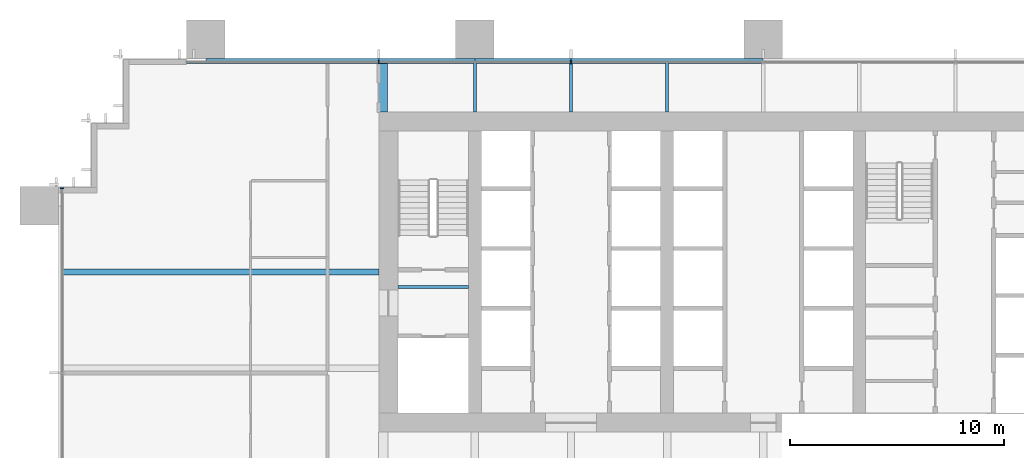
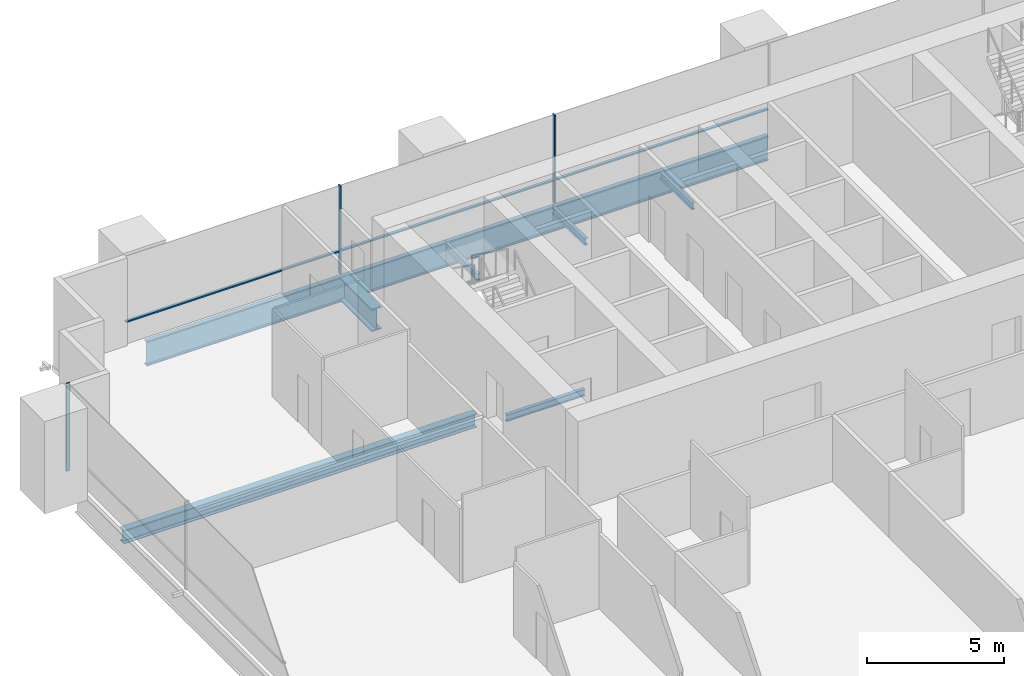
# One storey, part 7 of 17: 8 beams, 6 members, 2 elements without a shape of their own.
"""IFC4 building model written with IfcOpenShell, lengths in metres."""

from ifc_helpers import new_model, si_unit, direction, frame, origin, origin_2d, place, context, subcontext, project, spatial, rectangle, i_section, extrude, material, material_profile, profile_set, type_object, element, aggregate, save


model = new_model("IFC4")

# Units and contexts
model_context = context("Model", 3, precision=1e-05, world=origin(), true_north=direction((0.0, 1.0)))
body_context = subcontext(model_context, "Body", "Model", "MODEL_VIEW")
ifc_project = project(units=[si_unit("LENGTHUNIT", "METRE"), si_unit("AREAUNIT", "SQUARE_METRE"), si_unit("VOLUMEUNIT", "CUBIC_METRE"), si_unit("PLANEANGLEUNIT", "RADIAN"), si_unit("MASSUNIT", "GRAM", prefix="KILO")], contexts=[model_context])

# Site, building, storey
site_placement = place(None, origin())
site = spatial("IfcSite", under=ifc_project, at=site_placement, CompositionType="ELEMENT")
building_placement = place(site_placement, origin())
building = spatial("IfcBuilding", under=site, at=building_placement, Name="Rattan Terrace Tower", CompositionType="ELEMENT")
storey_placement = place(building_placement, frame((0.0, 0.0, 61.10009765625)))
storey = spatial("IfcBuildingStorey", under=building, at=storey_placement, Name="L13", CompositionType="ELEMENT", Elevation=61.10009765625)

# Curtain wall, members
ifc_material_1 = material(Name="Aluminium and glass", Category="aluminium")
curtain_wall_type = type_object("IfcCurtainWallType", Name="Facade Unitised Curtain Wall", PredefinedType="NOTDEFINED", material=ifc_material_1)
curtain_wall_1_placement = place(storey_placement, origin())
curtain_wall_1 = element("IfcCurtainWall", 1, at=curtain_wall_1_placement, inside=storey, type_object=curtain_wall_type, Name="Curtain wall L13-2", PredefinedType="NOTDEFINED")
ifc_material_2 = material(Name="Aluminium", Category="aluminium")
ifc_material_profile_1 = material_profile(ifc_material_2, rectangle(XDim=0.06005859375, YDim=0.159912109375, at=origin_2d()), Name="Aluminium 60x160")
ifc_profile_set_1 = profile_set([ifc_material_profile_1], Name="Aluminium")
member_type_1 = type_object("IfcMemberType", Name="Facade CW Mullion 60x160", PredefinedType="MULLION", material=ifc_profile_set_1)
member_1_placement = place(storey_placement, frame((-9.0, 9.830078125, 0.0), z_axis=(0.0, 0.0, 1.0), x_axis=(-1.0, 0.0, 0.0)))
member_1 = element("IfcMember", 2, at=member_1_placement, type_object=member_type_1, Name="Mullion cwl-L13-002.5", PredefinedType="MULLION", context=body_context, shape_type="SweptSolid", body=[
    extrude(rectangle(XDim=0.06005859375, YDim=0.159912109375, at=origin_2d()), origin(), (0.0, 0.0, 1.0), 3.89990234375),
])
member_2_placement = place(storey_placement, frame((-18.0, 9.830078125, 0.0), z_axis=(0.0, 0.0, 1.0), x_axis=(-1.0, 0.0, 0.0)))
member_2 = element("IfcMember", 3, at=member_2_placement, type_object=member_type_1, Name="Mullion cwl-L13-002.6", PredefinedType="MULLION", context=body_context, shape_type="SweptSolid", body=[
    extrude(rectangle(XDim=0.06005859375, YDim=0.159912109375, at=origin_2d()), origin(), (0.0, 0.0, 1.0), 3.89990234375),
])

# Curtain wall, member
curtain_wall_2_placement = place(storey_placement, origin())
curtain_wall_2 = element("IfcCurtainWall", 4, at=curtain_wall_2_placement, inside=storey, type_object=curtain_wall_type, Name="Curtain wall L13-3", PredefinedType="NOTDEFINED")
member_3_placement = place(storey_placement, frame((-32.830078125, 3.925048828125, 0.0), z_axis=(0.0, 0.0, 1.0), x_axis=(0.0, -1.0, 0.0)))
member_3 = element("IfcMember", 5, at=member_3_placement, type_object=member_type_1, Name="Mullion cwl-L13-003.1", PredefinedType="MULLION", context=body_context, shape_type="SweptSolid", body=[
    extrude(rectangle(XDim=0.06005859375, YDim=0.159912109375, at=origin_2d()), origin(), (0.0, 0.0, 1.0), 3.89990234375),
])
aggregate(curtain_wall_2, [member_3])

# Member
ifc_material_3 = material(Name="Aluminium", Category="aluminium")
ifc_material_profile_2 = material_profile(ifc_material_3, rectangle(XDim=0.1201171875, YDim=0.06005859375, at=origin_2d()), Name="Aluminium 120x60")
ifc_profile_set_2 = profile_set([ifc_material_profile_2], Name="Aluminium")
member_type_2 = type_object("IfcMemberType", Name="Facade CW Transom 120x60", PredefinedType="USERDEFINED", material=ifc_profile_set_2)
member_4_placement = place(storey_placement, frame((-0.030029296875, 9.830078125, 1.0), z_axis=(-1.0, 0.0, 0.0), x_axis=(0.0, -1.0, 0.0)))
member_4 = element("IfcMember", 6, at=member_4_placement, type_object=member_type_2, Name="Transom cwl-L13-002.4", ObjectType="TRANSOM", PredefinedType="USERDEFINED", context=body_context, shape_type="SweptSolid", body=[
    extrude(rectangle(XDim=0.1201171875, YDim=0.06005859375, at=origin_2d()), origin(), (0.0, 0.0, 1.0), 8.93994140625),
])

member_5_placement = place(storey_placement, frame((-9.030029296875, 9.830078125, 1.0), z_axis=(-1.0, 0.0, 0.0), x_axis=(0.0, -1.0, 0.0)))
member_5 = element("IfcMember", 7, at=member_5_placement, type_object=member_type_2, Name="Transom cwl-L13-002.5", ObjectType="TRANSOM", PredefinedType="USERDEFINED", context=body_context, shape_type="SweptSolid", body=[
    extrude(rectangle(XDim=0.1201171875, YDim=0.06005859375, at=origin_2d()), origin(), (0.0, 0.0, 1.0), 8.93994140625),
])

member_6_placement = place(storey_placement, frame((-18.030029296875, 9.830078125, 1.0), z_axis=(-1.0, 0.0, 0.0), x_axis=(0.0, -1.0, 0.0)))
member_6 = element("IfcMember", 8, at=member_6_placement, type_object=member_type_2, Name="Transom cwl-L13-002.6", ObjectType="TRANSOM", PredefinedType="USERDEFINED", context=body_context, shape_type="SweptSolid", body=[
    extrude(rectangle(XDim=0.1201171875, YDim=0.06005859375, at=origin_2d()), origin(), (0.0, 0.0, 1.0), 8.969970703125),
])

aggregate(curtain_wall_1, [member_1, member_2, member_4, member_5, member_6])

# Beams
ifc_material_4 = material(Name="Steel S460", Category="steel")
ifc_material_profile_3 = material_profile(ifc_material_4, i_section(OverallWidth=0.39990234375, OverallDepth=1.0, WebThickness=0.01806640625, FlangeThickness=0.044921875, at=origin_2d()), Name="PG 1000x400-18-45")
ifc_profile_set_3 = profile_set([ifc_material_profile_3], Name="Steel S460")
beam_type_1 = type_object("IfcBeamType", Name="Frame core girder PG 1000x400-18-45", PredefinedType="BEAM", material=ifc_profile_set_3)
beam_1_placement = place(storey_placement, frame((-17.800048828125, 7.5, -0.7001953125), z_axis=(0.0, 1.0, 0.0), x_axis=(-1.0, 0.0, 0.0)))
element("IfcBeam", 9, at=beam_1_placement, inside=storey, type_object=beam_type_1, Name="gdr-L13-015", PredefinedType="BEAM", context=body_context, shape_type="SweptSolid", body=[
    extrude(i_section(OverallWidth=0.39990234375, OverallDepth=1.0, WebThickness=0.01806640625, FlangeThickness=0.044921875, at=origin_2d()), origin(), (0.0, 0.0, 1.0), 2.320068359375),
])
ifc_material_5 = material(Name="Steel S460", Category="steel")
ifc_material_profile_4 = material_profile(ifc_material_5, i_section(OverallWidth=0.179931640625, OverallDepth=1.10009765625, WebThickness=0.01611328125, FlangeThickness=0.050048828125, at=origin_2d()), Name="PG 1100x180-16-50")
ifc_profile_set_4 = profile_set([ifc_material_profile_4], Name="Steel S460")
beam_type_2 = type_object("IfcBeamType", Name="Frame edge girder PG 1100x180-16-50", PredefinedType="SPANDREL", material=ifc_profile_set_4)
beam_2_placement = place(storey_placement, frame((-13.5, 9.909912109375, -0.75), z_axis=(-1.0, 0.0, 0.0), x_axis=(0.0, -1.0, 0.0)))
element("IfcBeam", 10, at=beam_2_placement, inside=storey, type_object=beam_type_2, Name="gdr-L13-009", PredefinedType="SPANDREL", context=body_context, shape_type="SweptSolid", body=[
    extrude(i_section(OverallWidth=0.179931640625, OverallDepth=1.10009765625, WebThickness=0.01611328125, FlangeThickness=0.050048828125, at=origin_2d()), origin(), (0.0, 0.0, 1.0), 12.60009765625),
])
beam_3_placement = place(storey_placement, frame((0.0, 9.909912109375, -0.75), z_axis=(-1.0, 0.0, 0.0), x_axis=(0.0, -1.0, 0.0)))
element("IfcBeam", 11, at=beam_3_placement, inside=storey, type_object=beam_type_2, Name="gdr-L13-010", PredefinedType="SPANDREL", context=body_context, shape_type="SweptSolid", body=[
    extrude(i_section(OverallWidth=0.179931640625, OverallDepth=1.10009765625, WebThickness=0.01611328125, FlangeThickness=0.050048828125, at=origin_2d()), origin(), (0.0, 0.0, 1.0), 13.5),
])
ifc_material_6 = material(Name="Steel S355", Category="steel")
ifc_material_profile_5 = material_profile(ifc_material_6, i_section(OverallWidth=0.300048828125, OverallDepth=0.60009765625, WebThickness=0.015380859375, FlangeThickness=0.030029296875, FilletRadius=0.027099609375, at=origin_2d()), Name="HE 600 B")
ifc_profile_set_5 = profile_set([ifc_material_profile_5], Name="Steel S355")
beam_type_3 = type_object("IfcBeamType", Name="Frame floor beam HE 600 B", PredefinedType="JOIST", material=ifc_profile_set_5)
beam_4_placement = place(storey_placement, frame((-32.820068359375, 0.0, -0.5), z_axis=(1.0, 0.0, 0.0), x_axis=(0.0, 1.0, 0.0)))
element("IfcBeam", 12, at=beam_4_placement, inside=storey, type_object=beam_type_3, Name="bm-L13-022", PredefinedType="JOIST", context=body_context, shape_type="SweptSolid", body=[
    extrude(i_section(OverallWidth=0.300048828125, OverallDepth=0.60009765625, WebThickness=0.015380859375, FlangeThickness=0.030029296875, FilletRadius=0.027099609375, at=origin_2d()), origin(), (0.0, 0.0, 1.0), 14.820068359375),
])
ifc_material_7 = material(Name="Steel S355", Category="steel")
ifc_material_profile_6 = material_profile(ifc_material_7, i_section(OverallWidth=0.14990234375, OverallDepth=0.300048828125, WebThickness=0.007080078125, FlangeThickness=0.0107421875, FilletRadius=0.014892578125, at=origin_2d()), Name="IPE 300")
ifc_profile_set_6 = profile_set([ifc_material_profile_6], Name="Steel S355")
beam_type_4 = type_object("IfcBeamType", Name="Frame floor beam IPE 300", PredefinedType="JOIST", material=ifc_profile_set_6)
beam_5_placement = place(storey_placement, frame((-17.10009765625, -0.695068359375, -0.35009765625), z_axis=(1.0, 0.0, 0.0), x_axis=(0.0, 1.0, 0.0)))
element("IfcBeam", 13, at=beam_5_placement, inside=storey, type_object=beam_type_4, Name="bm-L13-001", PredefinedType="JOIST", context=body_context, shape_type="SweptSolid", body=[
    extrude(i_section(OverallWidth=0.14990234375, OverallDepth=0.300048828125, WebThickness=0.007080078125, FlangeThickness=0.0107421875, FilletRadius=0.014892578125, at=origin_2d()), origin(), (0.0, 0.0, 1.0), 3.300048828125),
])
for number, where, z_axis, x_axis, name in (
    (14, (-13.5, 7.5, -0.35009765625), (0.0, 1.0, 0.0), (-1.0, 0.0, 0.0), "bm-L13-024"),
    (15, (-9.0, 7.5, -0.35009765625), (0.0, 1.0, 0.0), (-1.0, 0.0, 0.0), "bm-L13-025"),
    (16, (-4.5, 7.5, -0.35009765625), (0.0, 1.0, 0.0), (-1.0, 0.0, 0.0), "bm-L13-026"),
):
    element("IfcBeam", number, at=place(storey_placement, frame(where, z_axis=z_axis, x_axis=x_axis)), inside=storey, type_object=beam_type_4, Name=name, PredefinedType="JOIST", context=body_context, shape_type="SweptSolid", body=[
        extrude(i_section(OverallWidth=0.14990234375, OverallDepth=0.300048828125, WebThickness=0.007080078125, FlangeThickness=0.0107421875, FilletRadius=0.014892578125, at=origin_2d()), origin(), (0.0, 0.0, 1.0), 2.320068359375),
    ])

save(model, "model.ifc")
